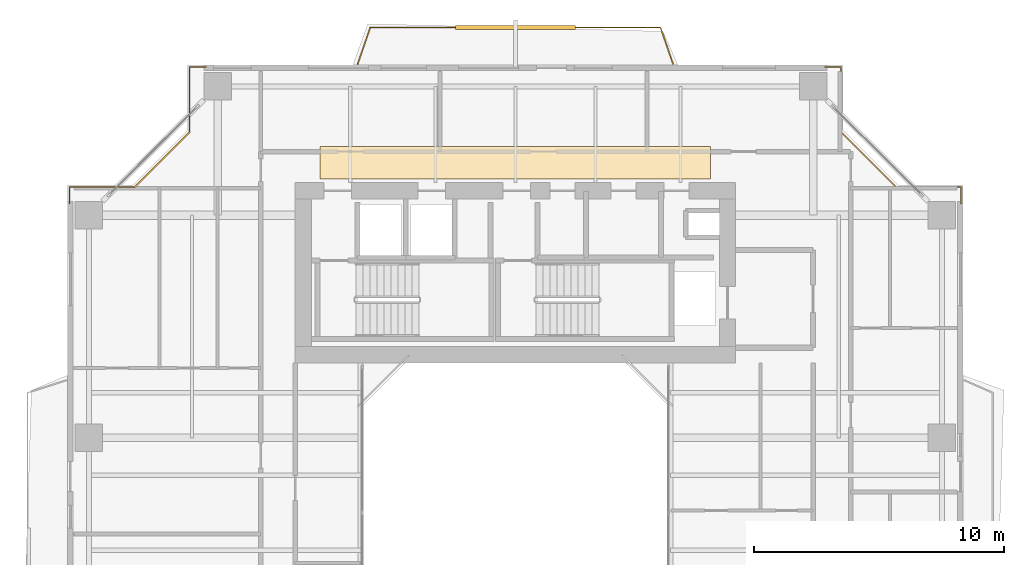
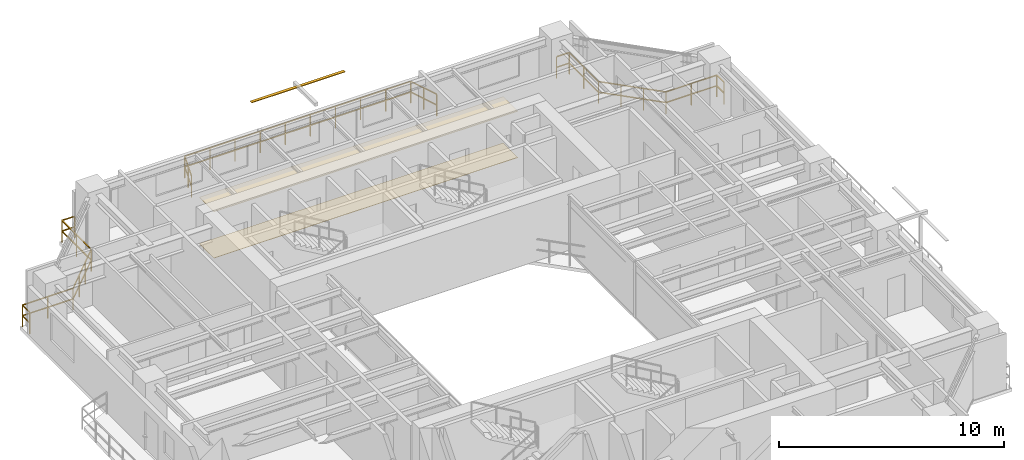
# One storey, part 16 of 16: 3 railings, 2 coverings, 1 shading device.
"""IFC4 building model written with IfcOpenShell, lengths in metres."""

from ifc_helpers import new_model, si_unit, direction, frame, origin, origin_2d, place, context, subcontext, project, spatial, polyline, rectangle, outline, extrude, source, transform, mapped, material, layer, layer_set, material_profile, profile_set, type_object, element, save


model = new_model("IFC4")

# Units and contexts
model_context = context("Model", 3, precision=1e-05, world=origin(), true_north=direction((0.0, 1.0)))
body_context = subcontext(model_context, "Body", "Model", "MODEL_VIEW")
ifc_project = project(units=[si_unit("LENGTHUNIT", "METRE"), si_unit("AREAUNIT", "SQUARE_METRE"), si_unit("VOLUMEUNIT", "CUBIC_METRE"), si_unit("PLANEANGLEUNIT", "RADIAN"), si_unit("MASSUNIT", "GRAM", prefix="KILO"), si_unit("THERMODYNAMICTEMPERATUREUNIT", "KELVIN"), si_unit("POWERUNIT", "WATT")], contexts=[model_context])

# Site, building, storey
site_placement = place(None, origin())
site = spatial("IfcSite", under=ifc_project, at=site_placement, CompositionType="ELEMENT")
building_placement = place(site_placement, origin())
building = spatial("IfcBuilding", under=site, at=building_placement, Name="Qiaomeng Ring Towers", CompositionType="ELEMENT")
storey_placement = place(building_placement, frame((0.0, 0.0, 136.0)))
storey = spatial("IfcBuildingStorey", under=building, at=storey_placement, Name="L39", CompositionType="ELEMENT", Elevation=136.0)

# Coverings
ifc_material_1 = material(Name="Moisture-resistant gypsum ceiling board", Category="gypsum")
ifc_layer_1 = layer(ifc_material_1, 0.030029296875, Name="Moisture-resistant gypsum ceiling board")
ifc_layer_set_1 = layer_set([ifc_layer_1], Name="Moisture-resistant gypsum ceiling board")
covering_type_1 = type_object("IfcCoveringType", Name="ARC-COV-CEIL2", PredefinedType="CEILING", material=ifc_layer_set_1)
covering_1_placement = place(storey_placement, frame((0.0, 0.0, 2.510009765625)))
element("IfcCovering", 1, at=covering_1_placement, inside=storey, type_object=covering_type_1, Name="L39 Corridor Acoustic Ceiling", PredefinedType="CEILING", context=body_context, shape_type="SweptSolid", body=[
    extrude(outline(polyline([(11.199951171875, 36.35009765625), (11.199951171875, 37.64990234375), (26.800048828125, 37.64990234375), (26.800048828125, 36.35009765625), (11.199951171875, 36.35009765625)])), origin(), (0.0, 0.0, 1.0), 0.02490234375),
])
ifc_material_2 = material(Name="Vitrified porcelain floor tile", Category="ceramic")
ifc_layer_2 = layer(ifc_material_2, 0.02001953125, Name="Vitrified porcelain floor tile")
ifc_layer_set_2 = layer_set([ifc_layer_2], Name="Vitrified porcelain floor tile")
covering_type_2 = type_object("IfcCoveringType", Name="ARC-COV-FLR1", PredefinedType="FLOORING", material=ifc_layer_set_2)
covering_2_placement = place(storey_placement, origin())
element("IfcCovering", 2, at=covering_2_placement, inside=storey, type_object=covering_type_2, Name="L39 Corridor Stone Flooring", PredefinedType="FLOORING", context=body_context, shape_type="SweptSolid", body=[
    extrude(outline(polyline([(11.199951171875, 36.35009765625), (11.199951171875, 37.64990234375), (26.800048828125, 37.64990234375), (26.800048828125, 36.35009765625), (11.199951171875, 36.35009765625)])), origin(), (0.0, 0.0, 1.0), 0.02001953125),
])

# Railings
ifc_material_3 = material(Name="Low-E pale-green laminated safety glass", Category="glass")
railing_type = type_object("IfcRailingType", Name="ARC-RL-BAL1", PredefinedType="BALUSTRADE", material=ifc_material_3)
railing_1_placement = place(storey_placement, frame((36.820068359375, 35.3701171875, 0.0)))
element("IfcRailing", 3, at=railing_1_placement, inside=storey, type_object=railing_type, Name="L39 Balustrade ARC-BAL-NOTCH1-L39-NE", PredefinedType="BALUSTRADE", context=body_context, shape_type="SweptSolid", body=[
    extrude(rectangle(XDim=0.048095703125, YDim=0.048095703125, at=origin_2d()), frame((0.0, 0.0, 1.17578125), z_axis=(0.0, 1.0, 0.0), x_axis=(-1.0, 0.0, 0.0)), (0.0, 0.0, 1.0), 0.64990234375),
    extrude(rectangle(XDim=0.048095703125, YDim=0.048095703125, at=origin_2d()), frame((0.0, 0.0, 0.60009765625), z_axis=(0.0, 1.0, 0.0), x_axis=(-1.0, 0.0, 0.0)), (0.0, 0.0, 1.0), 0.64990234375),
    extrude(rectangle(XDim=0.048095703125, YDim=0.048095703125, at=origin_2d()), frame((0.0, 0.64990234375, 1.17578125), z_axis=(-1.0, 0.0, 0.0), x_axis=(0.0, -1.0, 0.0)), (0.0, 0.0, 1.0), 2.60009765625),
    extrude(rectangle(XDim=0.048095703125, YDim=0.048095703125, at=origin_2d()), frame((0.0, 0.64990234375, 0.60009765625), z_axis=(-1.0, 0.0, 0.0), x_axis=(0.0, -1.0, 0.0)), (0.0, 0.0, 1.0), 2.60009765625),
    extrude(rectangle(XDim=0.048095703125, YDim=0.048095703125, at=origin_2d()), frame((-2.60009765625, 0.64990234375, 1.17578125), z_axis=(-0.707106781187, 0.707106781187, 0.0), x_axis=(-0.707106781187, -0.707106781187, 0.0)), (0.0, 0.0, 1.0), 3.111083984375),
    extrude(rectangle(XDim=0.048095703125, YDim=0.048095703125, at=origin_2d()), frame((-2.60009765625, 0.64990234375, 0.60009765625), z_axis=(-0.707106781187, 0.707106781187, 0.0), x_axis=(-0.707106781187, -0.707106781187, 0.0)), (0.0, 0.0, 1.0), 3.111083984375),
    extrude(rectangle(XDim=0.048095703125, YDim=0.048095703125, at=origin_2d()), frame((-4.800048828125, 2.849853515625, 1.17578125), z_axis=(0.0, 1.0, 0.0), x_axis=(-1.0, 0.0, 0.0)), (0.0, 0.0, 1.0), 2.60009765625),
    extrude(rectangle(XDim=0.048095703125, YDim=0.048095703125, at=origin_2d()), frame((-4.800048828125, 2.849853515625, 0.60009765625), z_axis=(0.0, 1.0, 0.0), x_axis=(-1.0, 0.0, 0.0)), (0.0, 0.0, 1.0), 2.60009765625),
    extrude(rectangle(XDim=0.048095703125, YDim=0.048095703125, at=origin_2d()), frame((-4.800048828125, 5.449951171875, 1.17578125), z_axis=(-1.0, 0.0, 0.0), x_axis=(0.0, -1.0, 0.0)), (0.0, 0.0, 1.0), 0.64990234375),
    extrude(rectangle(XDim=0.048095703125, YDim=0.048095703125, at=origin_2d()), frame((-4.800048828125, 5.449951171875, 0.60009765625), z_axis=(-1.0, 0.0, 0.0), x_axis=(0.0, -1.0, 0.0)), (0.0, 0.0, 1.0), 0.64990234375),
    extrude(rectangle(XDim=0.0419921875, YDim=0.0419921875, at=origin_2d()), origin(), (0.0, 0.0, 1.0), 1.15185546875),
    extrude(rectangle(XDim=0.0419921875, YDim=0.0419921875, at=origin_2d()), frame((0.0, 0.64990234375, 0.0)), (0.0, 0.0, 1.0), 1.15185546875),
    extrude(rectangle(XDim=0.0419921875, YDim=0.0419921875, at=origin_2d()), frame((-1.300048828125, 0.64990234375, 0.0)), (0.0, 0.0, 1.0), 1.15185546875),
    extrude(rectangle(XDim=0.0419921875, YDim=0.0419921875, at=origin_2d()), frame((-2.60009765625, 0.64990234375, 0.0)), (0.0, 0.0, 1.0), 1.15185546875),
    extrude(rectangle(XDim=0.0419921875, YDim=0.0419921875, at=origin_2d()), frame((-3.33349609375, 1.38330078125, 0.0)), (0.0, 0.0, 1.0), 1.15185546875),
    extrude(rectangle(XDim=0.0419921875, YDim=0.0419921875, at=origin_2d()), frame((-4.066650390625, 2.116455078125, 0.0)), (0.0, 0.0, 1.0), 1.15185546875),
    extrude(rectangle(XDim=0.0419921875, YDim=0.0419921875, at=origin_2d()), frame((-4.800048828125, 2.849853515625, 0.0)), (0.0, 0.0, 1.0), 1.15185546875),
    extrude(rectangle(XDim=0.0419921875, YDim=0.0419921875, at=origin_2d()), frame((-4.800048828125, 4.14990234375, 0.0)), (0.0, 0.0, 1.0), 1.15185546875),
    extrude(rectangle(XDim=0.0419921875, YDim=0.0419921875, at=origin_2d()), frame((-4.800048828125, 5.449951171875, 0.0)), (0.0, 0.0, 1.0), 1.15185546875),
    extrude(rectangle(XDim=0.0419921875, YDim=0.0419921875, at=origin_2d()), frame((-5.449951171875, 5.449951171875, 0.0)), (0.0, 0.0, 1.0), 1.15185546875),
])
railing_2_placement = place(storey_placement, frame((6.6298828125, 40.820068359375, 0.0)))
element("IfcRailing", 4, at=railing_2_placement, inside=storey, type_object=railing_type, Name="L39 Balustrade ARC-BAL-NOTCH1-L39-NW", PredefinedType="BALUSTRADE", context=body_context, shape_type="SweptSolid", body=[
    extrude(rectangle(XDim=0.048095703125, YDim=0.048095703125, at=origin_2d()), frame((0.0, 0.0, 1.17578125), z_axis=(-1.0, 0.0, 0.0), x_axis=(0.0, -1.0, 0.0)), (0.0, 0.0, 1.0), 0.64990234375),
    extrude(rectangle(XDim=0.048095703125, YDim=0.048095703125, at=origin_2d()), frame((0.0, 0.0, 0.60009765625), z_axis=(-1.0, 0.0, 0.0), x_axis=(0.0, -1.0, 0.0)), (0.0, 0.0, 1.0), 0.64990234375),
    extrude(rectangle(XDim=0.048095703125, YDim=0.048095703125, at=origin_2d()), frame((-0.64990234375, 0.0, 1.17578125), z_axis=(0.0, -1.0, 0.0), x_axis=(1.0, 0.0, 0.0)), (0.0, 0.0, 1.0), 2.60009765625),
    extrude(rectangle(XDim=0.048095703125, YDim=0.048095703125, at=origin_2d()), frame((-0.64990234375, 0.0, 0.60009765625), z_axis=(0.0, -1.0, 0.0), x_axis=(1.0, 0.0, 0.0)), (0.0, 0.0, 1.0), 2.60009765625),
    extrude(rectangle(XDim=0.048095703125, YDim=0.048095703125, at=origin_2d()), frame((-0.64990234375, -2.60009765625, 1.17578125), z_axis=(-0.707106781187, -0.707106781187, 0.0), x_axis=(0.707106781187, -0.707106781187, 0.0)), (0.0, 0.0, 1.0), 3.111083984375),
    extrude(rectangle(XDim=0.048095703125, YDim=0.048095703125, at=origin_2d()), frame((-0.64990234375, -2.60009765625, 0.60009765625), z_axis=(-0.707106781187, -0.707106781187, 0.0), x_axis=(0.707106781187, -0.707106781187, 0.0)), (0.0, 0.0, 1.0), 3.111083984375),
    extrude(rectangle(XDim=0.048095703125, YDim=0.048095703125, at=origin_2d()), frame((-2.849853515625, -4.800048828125, 1.17578125), z_axis=(-1.0, 0.0, 0.0), x_axis=(0.0, -1.0, 0.0)), (0.0, 0.0, 1.0), 2.60009765625),
    extrude(rectangle(XDim=0.048095703125, YDim=0.048095703125, at=origin_2d()), frame((-2.849853515625, -4.800048828125, 0.60009765625), z_axis=(-1.0, 0.0, 0.0), x_axis=(0.0, -1.0, 0.0)), (0.0, 0.0, 1.0), 2.60009765625),
    extrude(rectangle(XDim=0.048095703125, YDim=0.048095703125, at=origin_2d()), frame((-5.449951171875, -4.800048828125, 1.17578125), z_axis=(0.0, -1.0, 0.0), x_axis=(1.0, 0.0, 0.0)), (0.0, 0.0, 1.0), 0.64990234375),
    extrude(rectangle(XDim=0.048095703125, YDim=0.048095703125, at=origin_2d()), frame((-5.449951171875, -4.800048828125, 0.60009765625), z_axis=(0.0, -1.0, 0.0), x_axis=(1.0, 0.0, 0.0)), (0.0, 0.0, 1.0), 0.64990234375),
    extrude(rectangle(XDim=0.0419921875, YDim=0.0419921875, at=origin_2d()), origin(), (0.0, 0.0, 1.0), 1.15185546875),
    extrude(rectangle(XDim=0.0419921875, YDim=0.0419921875, at=origin_2d()), frame((-0.64990234375, 0.0, 0.0)), (0.0, 0.0, 1.0), 1.15185546875),
    extrude(rectangle(XDim=0.0419921875, YDim=0.0419921875, at=origin_2d()), frame((-0.64990234375, -1.300048828125, 0.0)), (0.0, 0.0, 1.0), 1.15185546875),
    extrude(rectangle(XDim=0.0419921875, YDim=0.0419921875, at=origin_2d()), frame((-0.64990234375, -2.60009765625, 0.0)), (0.0, 0.0, 1.0), 1.15185546875),
    extrude(rectangle(XDim=0.0419921875, YDim=0.0419921875, at=origin_2d()), frame((-1.38330078125, -3.33349609375, 0.0)), (0.0, 0.0, 1.0), 1.15185546875),
    extrude(rectangle(XDim=0.0419921875, YDim=0.0419921875, at=origin_2d()), frame((-2.116455078125, -4.066650390625, 0.0)), (0.0, 0.0, 1.0), 1.15185546875),
    extrude(rectangle(XDim=0.0419921875, YDim=0.0419921875, at=origin_2d()), frame((-2.849853515625, -4.800048828125, 0.0)), (0.0, 0.0, 1.0), 1.15185546875),
    extrude(rectangle(XDim=0.0419921875, YDim=0.0419921875, at=origin_2d()), frame((-4.14990234375, -4.800048828125, 0.0)), (0.0, 0.0, 1.0), 1.15185546875),
    extrude(rectangle(XDim=0.0419921875, YDim=0.0419921875, at=origin_2d()), frame((-5.449951171875, -4.800048828125, 0.0)), (0.0, 0.0, 1.0), 1.15185546875),
    extrude(rectangle(XDim=0.0419921875, YDim=0.0419921875, at=origin_2d()), frame((-5.449951171875, -5.449951171875, 0.0)), (0.0, 0.0, 1.0), 1.15185546875),
])
railing_3_placement = place(storey_placement, frame((12.699951171875, 40.949951171875, 0.0)))
element("IfcRailing", 5, at=railing_3_placement, inside=storey, type_object=railing_type, Name="L39 Balustrade ARC-BAL-L39-T1-N", PredefinedType="BALUSTRADE", context=body_context, shape_type="SweptSolid", body=[
    extrude(rectangle(XDim=0.048095703125, YDim=0.048095703125, at=origin_2d()), frame((0.0, 0.0, 1.17578125), z_axis=(0.326000494605, 0.945369598368, 0.0), x_axis=(-0.945369598368, 0.326000494605, 0.0)), (0.0, 0.0, 1.0), 1.53369140625),
    extrude(rectangle(XDim=0.048095703125, YDim=0.048095703125, at=origin_2d()), frame((0.0, 0.0, 0.60009765625), z_axis=(0.326000494605, 0.945369598368, 0.0), x_axis=(-0.945369598368, 0.326000494605, 0.0)), (0.0, 0.0, 1.0), 1.53369140625),
    extrude(rectangle(XDim=0.048095703125, YDim=0.048095703125, at=origin_2d()), frame((0.5, 1.449951171875, 1.17578125), z_axis=(1.0, 0.0, 0.0), x_axis=(0.0, 1.0, 0.0)), (0.0, 0.0, 1.0), 11.60009765625),
    extrude(rectangle(XDim=0.048095703125, YDim=0.048095703125, at=origin_2d()), frame((0.5, 1.449951171875, 0.60009765625), z_axis=(1.0, 0.0, 0.0), x_axis=(0.0, 1.0, 0.0)), (0.0, 0.0, 1.0), 11.60009765625),
    extrude(rectangle(XDim=0.048095703125, YDim=0.048095703125, at=origin_2d()), frame((12.10009765625, 1.449951171875, 1.17578125), z_axis=(0.326000494605, -0.945369598368, 0.0), x_axis=(0.945369598368, 0.326000494605, 0.0)), (0.0, 0.0, 1.0), 1.53369140625),
    extrude(rectangle(XDim=0.048095703125, YDim=0.048095703125, at=origin_2d()), frame((12.10009765625, 1.449951171875, 0.60009765625), z_axis=(0.326000494605, -0.945369598368, 0.0), x_axis=(0.945369598368, 0.326000494605, 0.0)), (0.0, 0.0, 1.0), 1.53369140625),
    extrude(rectangle(XDim=0.0419921875, YDim=0.0419921875, at=origin_2d()), origin(), (0.0, 0.0, 1.0), 1.15185546875),
    extrude(rectangle(XDim=0.0419921875, YDim=0.0419921875, at=origin_2d()), frame((0.25, 0.72509765625, 0.0)), (0.0, 0.0, 1.0), 1.15185546875),
    extrude(rectangle(XDim=0.0419921875, YDim=0.0419921875, at=origin_2d()), frame((0.5, 1.449951171875, 0.0)), (0.0, 0.0, 1.0), 1.15185546875),
    extrude(rectangle(XDim=0.0419921875, YDim=0.0419921875, at=origin_2d()), frame((1.788818359375, 1.449951171875, 0.0)), (0.0, 0.0, 1.0), 1.15185546875),
    extrude(rectangle(XDim=0.0419921875, YDim=0.0419921875, at=origin_2d()), frame((3.077880859375, 1.449951171875, 0.0)), (0.0, 0.0, 1.0), 1.15185546875),
    extrude(rectangle(XDim=0.0419921875, YDim=0.0419921875, at=origin_2d()), frame((4.36669921875, 1.449951171875, 0.0)), (0.0, 0.0, 1.0), 1.15185546875),
    extrude(rectangle(XDim=0.0419921875, YDim=0.0419921875, at=origin_2d()), frame((5.655517578125, 1.449951171875, 0.0)), (0.0, 0.0, 1.0), 1.15185546875),
    extrude(rectangle(XDim=0.0419921875, YDim=0.0419921875, at=origin_2d()), frame((6.944580078125, 1.449951171875, 0.0)), (0.0, 0.0, 1.0), 1.15185546875),
    extrude(rectangle(XDim=0.0419921875, YDim=0.0419921875, at=origin_2d()), frame((8.2333984375, 1.449951171875, 0.0)), (0.0, 0.0, 1.0), 1.15185546875),
    extrude(rectangle(XDim=0.0419921875, YDim=0.0419921875, at=origin_2d()), frame((9.522216796875, 1.449951171875, 0.0)), (0.0, 0.0, 1.0), 1.15185546875),
    extrude(rectangle(XDim=0.0419921875, YDim=0.0419921875, at=origin_2d()), frame((10.811279296875, 1.449951171875, 0.0)), (0.0, 0.0, 1.0), 1.15185546875),
    extrude(rectangle(XDim=0.0419921875, YDim=0.0419921875, at=origin_2d()), frame((12.10009765625, 1.449951171875, 0.0)), (0.0, 0.0, 1.0), 1.15185546875),
    extrude(rectangle(XDim=0.0419921875, YDim=0.0419921875, at=origin_2d()), frame((12.35009765625, 0.72509765625, 0.0)), (0.0, 0.0, 1.0), 1.15185546875),
    extrude(rectangle(XDim=0.0419921875, YDim=0.0419921875, at=origin_2d()), frame((12.60009765625, 0.0, 0.0)), (0.0, 0.0, 1.0), 1.15185546875),
])

# Shading device
ifc_material_4 = material(Name="Fluorocarbon dark-grey aluminium", Category="aluminium")
ifc_material_profile = material_profile(ifc_material_4, rectangle(XDim=0.14990234375, YDim=0.034912109375, at=origin_2d()), Name="LV BLADE 150x35")
ifc_profile_set = profile_set([ifc_material_profile], Name="Fluorocarbon dark-grey aluminium")
shading_device_type = type_object("IfcShadingDeviceType", Name="ARC-SHD-SUN", PredefinedType="AWNING", material=ifc_profile_set)
shared_shape = source(origin(), body_context, "Body", "SweptSolid", [
    extrude(rectangle(XDim=0.14990234375, YDim=0.034912109375, at=origin_2d()), origin(), (0.0, 0.0, 1.0), 4.7998046875),
])
shading_device_placement = place(storey_placement, frame((16.60009765625, 42.39990234375, 2.929931640625), z_axis=(1.0, 0.0, 0.0), x_axis=(0.0, 1.0, 0.0)))
element("IfcShadingDevice", 6, at=shading_device_placement, inside=storey, type_object=shading_device_type, Name="L39 Ventilated Outer-Skin Sunshade N", PredefinedType="AWNING", context=body_context, shape_type="MappedRepresentation", body=[
    mapped(shared_shape, transform((0.0, 0.0, 0.0), x_axis=(1.0, 0.0, 0.0), y_axis=(0.0, 1.0, 0.0), z_axis=(0.0, 0.0, 1.0), scale=1.0)),
])

save(model, "model.ifc")
